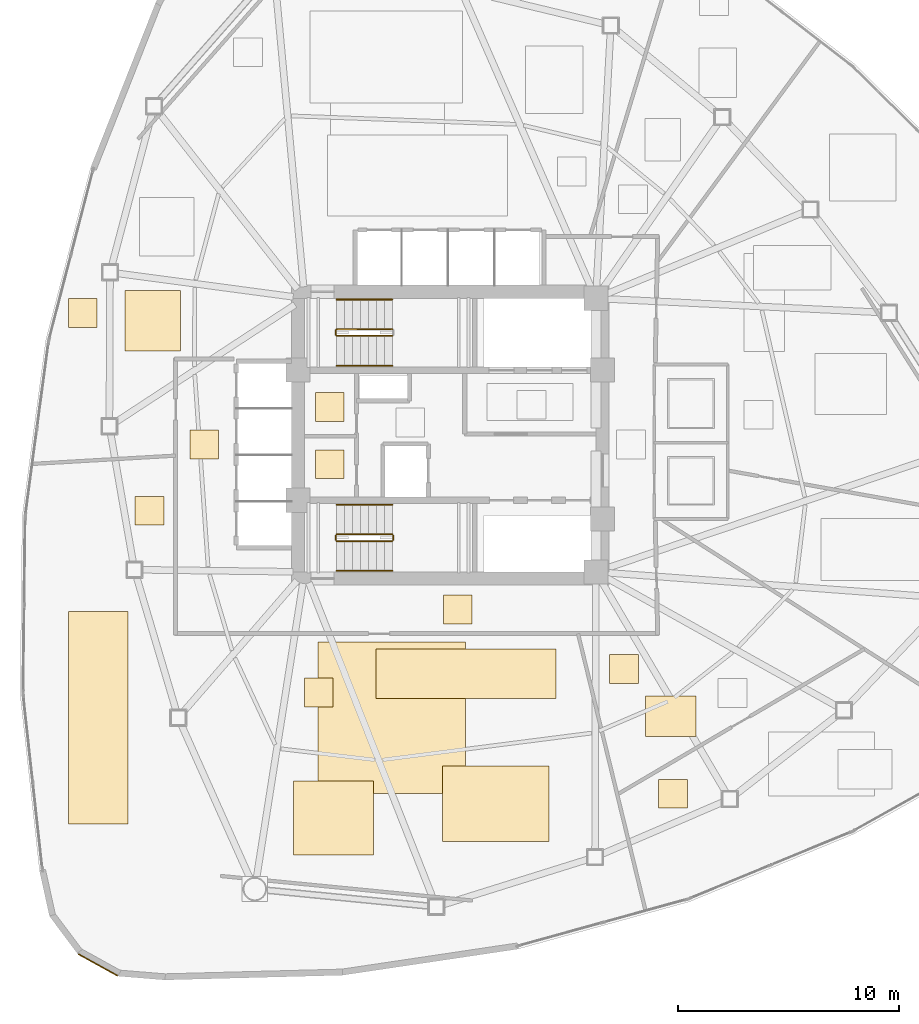
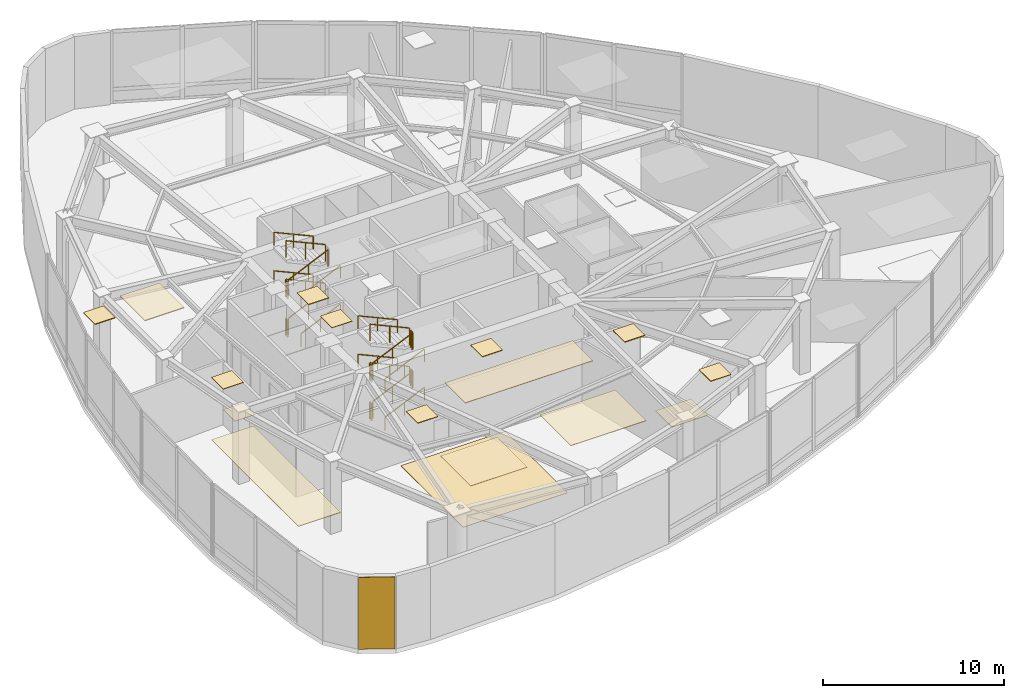
# One storey, part 12 of 14: 22 railings, 17 coverings.
"""IFC4 building model written with IfcOpenShell, lengths in metres."""

import ifcopenshell
import ifcopenshell.guid

model = None  # the IFC model being written
_history = None  # IfcOwnerHistory: only IFC2X3 demands one
_inside = {}  # id of a spatial element -> (the spatial element, [elements in it])
_under = {}  # id of a project, library or spatial element -> (it, [spatial elements below it])
_declared = {}  # id of a project -> (the project, [libraries it declares])
_typed = {}  # id of a type object -> (the type object, [elements of that type])
_made_of = {}  # id of a material, layer set ... -> (it, [elements and type objects made of it])


def new_model(schema):
    """Start an empty IFC model of exactly this schema.

    Asked for "IFC4X3", IfcOpenShell would pick the latest addendum, in which some entities
    have other attributes; the version numbers below select the first issue.
    IFC2X3 requires an IfcOwnerHistory on every rooted entity: one is made here for all.
    """
    global model, _history
    if schema == "IFC4X3":
        model = ifcopenshell.file(schema_version=(4, 3, 0, 0))
    else:
        model = ifcopenshell.file(schema=schema)
    _inside.clear()
    _under.clear()
    _declared.clear()
    _typed.clear()
    _made_of.clear()
    _history = None
    if model.schema == "IFC2X3":
        org = make("IfcOrganization", Name="unknown")
        user = make(
            "IfcPersonAndOrganization",
            ThePerson=make("IfcPerson", FamilyName="unknown"),
            TheOrganization=org,
        )
        app = make(
            "IfcApplication",
            ApplicationDeveloper=org,
            Version="unknown",
            ApplicationFullName="unknown",
            ApplicationIdentifier="unknown",
        )
        _history = make(
            "IfcOwnerHistory",
            OwningUser=user,
            OwningApplication=app,
            ChangeAction="ADDED",
            CreationDate=0,
        )
    return model


def make(cls, **values):
    """One entity of the class cls with the attributes given. An attribute that is None is left unset."""
    return model.create_entity(
        cls, **{name: value for name, value in values.items() if value is not None}
    )


def rooted(cls, **values):
    """An entity with a GlobalId (a new one), such as an element, a storey or a relation."""
    return make(cls, GlobalId=ifcopenshell.guid.new(), OwnerHistory=_history, **values)


def si_unit(unit_type, name, prefix=None):
    """IfcSIUnit, for example si_unit("LENGTHUNIT", "METRE", prefix="MILLI")."""
    return make("IfcSIUnit", UnitType=unit_type, Prefix=prefix, Name=name)


def assignment(units):
    """IfcUnitAssignment: the units of a project."""
    return None if units is None else make("IfcUnitAssignment", Units=units)


def point(xyz):
    """IfcCartesianPoint."""
    return None if xyz is None else make("IfcCartesianPoint", Coordinates=xyz)


def direction(xyz):
    """IfcDirection."""
    return None if xyz is None else make("IfcDirection", DirectionRatios=xyz)


def frame(location, z_axis=None, x_axis=None):
    """IfcAxis2Placement3D, a coordinate frame: its origin and axes. An axis left out is left unset."""
    return make(
        "IfcAxis2Placement3D",
        Location=point(location),
        Axis=direction(z_axis),
        RefDirection=direction(x_axis),
    )


def frame_2d(location, x_axis=None):
    """IfcAxis2Placement2D, a coordinate frame in the plane: its origin and x axis."""
    return make(
        "IfcAxis2Placement2D", Location=point(location), RefDirection=direction(x_axis)
    )


def origin():
    """The frame at (0, 0, 0) with its axes left unset."""
    return frame((0.0, 0.0, 0.0))


def origin_2d():
    """The frame at (0, 0) in the plane with its x axis left unset."""
    return frame_2d((0.0, 0.0))


def place(relative_to, where):
    """IfcLocalPlacement: puts the frame where relative to a parent placement (None: the world)."""
    return make(
        "IfcLocalPlacement", PlacementRelTo=relative_to, RelativePlacement=where
    )


def context(
    kind, dimensions, precision=None, world=None, true_north=None, identifier=None
):
    """IfcGeometricRepresentationContext, for example the 3D "Model" context."""
    return make(
        "IfcGeometricRepresentationContext",
        ContextIdentifier=identifier,
        ContextType=kind,
        CoordinateSpaceDimension=dimensions,
        Precision=precision,
        WorldCoordinateSystem=world,
        TrueNorth=true_north,
    )


def subcontext(parent, identifier, kind, view, scale=None):
    """IfcGeometricRepresentationSubContext, for example "Body" below "Model"."""
    return make(
        "IfcGeometricRepresentationSubContext",
        ContextIdentifier=identifier,
        ContextType=kind,
        ParentContext=parent,
        TargetScale=scale,
        TargetView=view,
    )


def project(units=None, contexts=None):
    """IfcProject with its units and contexts."""
    return rooted(
        "IfcProject",
        Name="project",
        RepresentationContexts=contexts,
        UnitsInContext=assignment(units),
    )


def spatial(cls, under=None, at=None, **own):
    """A site, building, storey or space (cls), placed at a placement, below another one or the project."""
    s = rooted(cls, ObjectPlacement=at, **own)
    if under is not None:
        _under.setdefault(under.id(), (under, []))[1].append(s)
    return s


def polyline(points):
    """IfcPolyline through the points."""
    return make("IfcPolyline", Points=[point(p) for p in points])


def profile(cls, at=None, kind="AREA", **sizes):
    """A parametric profile (cls). Its sizes go by their IFC names, for example OverallWidth=200.0."""
    return make(cls, ProfileType=kind, Position=at, **sizes)


def rectangle(**sizes):
    """IfcRectangleProfileDef."""
    return profile("IfcRectangleProfileDef", **sizes)


def outline(outer, holes=None, kind="AREA"):
    """IfcArbitraryClosedProfileDef: a profile drawn as a closed curve; with holes, ...WithVoids."""
    if holes is None:
        return make("IfcArbitraryClosedProfileDef", ProfileType=kind, OuterCurve=outer)
    return make(
        "IfcArbitraryProfileDefWithVoids",
        ProfileType=kind,
        OuterCurve=outer,
        InnerCurves=holes,
    )


def extrude(swept, where, along, depth):
    """IfcExtrudedAreaSolid: the profile swept, set in the frame where, extruded along a direction by depth."""
    return make(
        "IfcExtrudedAreaSolid",
        SweptArea=swept,
        Position=where,
        ExtrudedDirection=direction(along),
        Depth=depth,
    )


def shape(context_of_items, identifier, shape_type, items):
    """IfcShapeRepresentation: the items that make up one representation, for example the "Body"."""
    return make(
        "IfcShapeRepresentation",
        ContextOfItems=context_of_items,
        RepresentationIdentifier=identifier,
        RepresentationType=shape_type,
        Items=items,
    )


def material(Name=None, Category=None):
    """IfcMaterial."""
    return make("IfcMaterial", Name=Name, Category=Category)


def layer(
    of_material, thickness, ventilated=None, Name=None, Category=None, Priority=None
):
    """IfcMaterialLayer: one layer of a wall or slab, of a material (None: an air gap)."""
    return make(
        "IfcMaterialLayer",
        Material=of_material,
        LayerThickness=thickness,
        IsVentilated=ventilated,
        Name=Name,
        Category=Category,
        Priority=Priority,
    )


def layer_set(layers, Name=None):
    """IfcMaterialLayerSet."""
    return make("IfcMaterialLayerSet", MaterialLayers=layers, LayerSetName=Name)


def made_of(thing, what):
    """Note that an element or type object is made of a material, layer set ...; save() writes the relation."""
    if what is not None:
        _made_of.setdefault(what.id(), (what, []))[1].append(thing)
    return thing


def type_object(cls, material=None, **own):
    """A type object (cls), such as IfcWallType, which elements share."""
    return made_of(rooted(cls, **own), material)


def element(
    cls,
    number,
    at=None,
    inside=None,
    cuts=None,
    type_object=None,
    material=None,
    context=None,
    identifier="Body",
    shape_type=None,
    held_by="IfcProductDefinitionShape",
    body=None,
    shapes=None,
    **own,
):
    """One element of the class cls, such as IfcWall. Its Tag is "e" and its number.

    at: its placement. inside: the storey or other place that contains it. cuts: it is an
    opening in that element (IfcRelVoidsElement). A single representation is given by context,
    identifier, shape_type and body (its items); several are given by shapes. held_by: the class
    of the entity that holds the representations. save() writes the other relations.
    """
    e = rooted(cls, Tag="e%d" % number, ObjectPlacement=at, **own)
    if body is not None:
        shapes = [shape(context, identifier, shape_type, body)]
    if shapes is not None:
        e.Representation = make(held_by, Representations=shapes)
    if inside is not None:
        _inside.setdefault(inside.id(), (inside, []))[1].append(e)
    if cuts is not None:
        rooted(
            "IfcRelVoidsElement", RelatingBuildingElement=cuts, RelatedOpeningElement=e
        )
    if type_object is not None:
        _typed.setdefault(type_object.id(), (type_object, []))[1].append(e)
    return made_of(e, material)


def aggregate(whole, parts):
    """IfcRelAggregates: a whole, such as a stair, and the parts it consists of."""
    return rooted("IfcRelAggregates", RelatingObject=whole, RelatedObjects=parts)


def save(model, path):
    """Write the relations noted so far, then the file.

    IfcRelAggregates (storeys below a building ...), IfcRelContainedInSpatialStructure (elements
    in a storey), IfcRelDefinesByType, IfcRelAssociatesMaterial and IfcRelDeclares: one each for
    every whole, place, type object, material and project.
    """
    for whole, parts in _under.values():
        aggregate(whole, parts)
    for where, things in _inside.values():
        rooted(
            "IfcRelContainedInSpatialStructure",
            RelatedElements=things,
            RelatingStructure=where,
        )
    for kind, things in _typed.values():
        rooted("IfcRelDefinesByType", RelatedObjects=things, RelatingType=kind)
    for what, things in _made_of.values():
        rooted("IfcRelAssociatesMaterial", RelatedObjects=things, RelatingMaterial=what)
    for by, libraries in _declared.values():
        rooted("IfcRelDeclares", RelatingContext=by, RelatedDefinitions=libraries)
    model.write(path)


model = new_model("IFC4")

# Units and contexts
model_context = context("Model", 3, precision=1e-05, world=origin(), true_north=direction((0.0, 1.0)))
body_context = subcontext(model_context, "Body", "Model", "MODEL_VIEW")
ifc_project = project(units=[si_unit("LENGTHUNIT", "METRE"), si_unit("AREAUNIT", "SQUARE_METRE"), si_unit("VOLUMEUNIT", "CUBIC_METRE"), si_unit("PLANEANGLEUNIT", "RADIAN"), si_unit("MASSUNIT", "GRAM", prefix="KILO")], contexts=[model_context])

# Site, building, storey
site_placement = place(None, origin())
site = spatial("IfcSite", under=ifc_project, at=site_placement, CompositionType="ELEMENT")
building_placement = place(site_placement, origin())
building = spatial("IfcBuilding", under=site, at=building_placement, Name="Tavelor Broadcast Tower", CompositionType="ELEMENT")
storey_placement = place(building_placement, frame((0.0, 0.0, 110.39990234375)))
storey = spatial("IfcBuildingStorey", under=building, at=storey_placement, Name="L25", CompositionType="ELEMENT", Elevation=110.39990234375)

# Coverings
ifc_material_1 = material(Name="Copper-Bronze Anodized Aluminium", Category="aluminium")
ifc_layer_1 = layer(ifc_material_1, 0.044921875)
ifc_layer_set_1 = layer_set([ifc_layer_1], Name="Copper-Bronze Anodized Aluminium")
covering_type_1 = type_object("IfcCoveringType", Name="Anodised Bronze Linear Slatted Concourse Ceiling 45 mm", PredefinedType="CEILING", material=ifc_layer_set_1)
covering_1_placement = place(storey_placement, frame((0.0, 0.0, 4.85498046875)))
element("IfcCovering", 1, at=covering_1_placement, inside=storey, type_object=covering_type_1, Name="L25 Suspended Acoustic Ceiling 0972", PredefinedType="CEILING", context=body_context, shape_type="SweptSolid", body=[
    extrude(outline(polyline([(49.689208984375, 36.449951171875), (50.9892578125, 36.449951171875), (50.9892578125, 37.75), (49.689208984375, 37.75), (49.689208984375, 36.449951171875)])), origin(), (0.0, 0.0, 1.0), 0.045166015625),
])
ifc_layer_2 = layer(ifc_material_1, 0.050048828125)
ifc_layer_set_2 = layer_set([ifc_layer_2], Name="Copper-Bronze Anodized Aluminium")
covering_type_2 = type_object("IfcCoveringType", Name="Champagne-Bronze Corner Pier Metal Cladding 50 mm", PredefinedType="CLADDING", material=ifc_layer_set_2)
covering_2_placement = place(storey_placement, frame((34.02392578125, 20.98583984375, 0.02001953125), z_axis=(0.0, 0.0, 1.0), x_axis=(0.875042450261, -0.484046186062, 0.0)))
element("IfcCovering", 2, at=covering_2_placement, inside=storey, type_object=covering_type_2, Name="L25 Champagne-Bronze Corner Cladding 13", PredefinedType="CLADDING", context=body_context, shape_type="SweptSolid", body=[
    extrude(rectangle(XDim=2.016357421875, YDim=0.050048828125, at=origin_2d()), origin(), (0.0, 0.0, 1.0), 4.860107421875),
])

# Railings
ifc_material_2 = material(Name="Steel S355", Category="steel")
railing_type_1 = type_object("IfcRailingType", Name="Continuous Brushed Stainless Handrail 900 mm", PredefinedType="HANDRAIL", material=ifc_material_2)
railing_1_placement = place(storey_placement, frame((44.85009765625, 48.14990234375, 0.16259765625)))
element("IfcRailing", 3, at=railing_1_placement, inside=storey, type_object=railing_type_1, Name="L25 ST1 stair handrail 1", PredefinedType="HANDRAIL", context=body_context, shape_type="SweptSolid", body=[
    extrude(rectangle(XDim=0.048095703125, YDim=0.048095703125, at=origin_2d()), frame((0.0, 0.0, 0.8759765625), z_axis=(0.911454990345, 0.0, 0.411399806241), x_axis=(0.0, 1.0, 0.0)), (0.0, 0.0, 1.0), 2.764892578125),
    extrude(rectangle(XDim=0.0419921875, YDim=0.0419921875, at=origin_2d()), origin(), (0.0, 0.0, 1.0), 0.851806640625),
    extrude(rectangle(XDim=0.0419921875, YDim=0.0419921875, at=origin_2d()), frame((1.260009765625, 0.0, 0.56884765625)), (0.0, 0.0, 1.0), 0.851806640625),
    extrude(rectangle(XDim=0.0419921875, YDim=0.0419921875, at=origin_2d()), frame((2.52001953125, 0.0, 1.137451171875)), (0.0, 0.0, 1.0), 0.851806640625),
])
railing_2_placement = place(storey_placement, frame((47.3701171875, 51.14990234375, 1.462646484375)))
element("IfcRailing", 4, at=railing_2_placement, inside=storey, type_object=railing_type_1, Name="L25 ST1 stair handrail 2", PredefinedType="HANDRAIL", context=body_context, shape_type="SweptSolid", body=[
    extrude(rectangle(XDim=0.048095703125, YDim=0.048095703125, at=origin_2d()), frame((0.0, 0.0, 0.8759765625), z_axis=(-0.911454990345, 0.0, 0.411399806241), x_axis=(0.0, -1.0, 0.0)), (0.0, 0.0, 1.0), 2.764892578125),
    extrude(rectangle(XDim=0.0419921875, YDim=0.0419921875, at=origin_2d()), origin(), (0.0, 0.0, 1.0), 0.851806640625),
    extrude(rectangle(XDim=0.0419921875, YDim=0.0419921875, at=origin_2d()), frame((-1.260009765625, 0.0, 0.56884765625)), (0.0, 0.0, 1.0), 0.851806640625),
    extrude(rectangle(XDim=0.0419921875, YDim=0.0419921875, at=origin_2d()), frame((-2.52001953125, 0.0, 1.137451171875)), (0.0, 0.0, 1.0), 0.851806640625),
])
railing_3_placement = place(storey_placement, frame((44.85009765625, 48.14990234375, 2.7626953125)))
element("IfcRailing", 5, at=railing_3_placement, inside=storey, type_object=railing_type_1, Name="L25 ST1 stair handrail 3", PredefinedType="HANDRAIL", context=body_context, shape_type="SweptSolid", body=[
    extrude(rectangle(XDim=0.048095703125, YDim=0.048095703125, at=origin_2d()), frame((0.0, 0.0, 0.8759765625), z_axis=(0.911454990345, 0.0, 0.411399806241), x_axis=(0.0, 1.0, 0.0)), (0.0, 0.0, 1.0), 2.764892578125),
    extrude(rectangle(XDim=0.0419921875, YDim=0.0419921875, at=origin_2d()), origin(), (0.0, 0.0, 1.0), 0.851806640625),
    extrude(rectangle(XDim=0.0419921875, YDim=0.0419921875, at=origin_2d()), frame((1.260009765625, 0.0, 0.56884765625)), (0.0, 0.0, 1.0), 0.851806640625),
    extrude(rectangle(XDim=0.0419921875, YDim=0.0419921875, at=origin_2d()), frame((2.52001953125, 0.0, 1.137451171875)), (0.0, 0.0, 1.0), 0.851806640625),
])
railing_4_placement = place(storey_placement, frame((47.3701171875, 51.14990234375, 4.0625)))
element("IfcRailing", 6, at=railing_4_placement, inside=storey, type_object=railing_type_1, Name="L25 ST1 stair handrail 4", PredefinedType="HANDRAIL", context=body_context, shape_type="SweptSolid", body=[
    extrude(rectangle(XDim=0.048095703125, YDim=0.048095703125, at=origin_2d()), frame((0.0, 0.0, 0.8759765625), z_axis=(-0.911421877719, 0.0, 0.411473159288), x_axis=(0.0, -1.0, 0.0)), (0.0, 0.0, 1.0), 2.764892578125),
    extrude(rectangle(XDim=0.0419921875, YDim=0.0419921875, at=origin_2d()), origin(), (0.0, 0.0, 1.0), 0.851806640625),
    extrude(rectangle(XDim=0.0419921875, YDim=0.0419921875, at=origin_2d()), frame((-1.260009765625, 0.0, 0.56884765625)), (0.0, 0.0, 1.0), 0.851806640625),
    extrude(rectangle(XDim=0.0419921875, YDim=0.0419921875, at=origin_2d()), frame((-2.52001953125, 0.0, 1.1376953125)), (0.0, 0.0, 1.0), 0.851806640625),
])
railing_5_placement = place(storey_placement, frame((44.85009765625, 38.85009765625, 0.16259765625)))
element("IfcRailing", 7, at=railing_5_placement, inside=storey, type_object=railing_type_1, Name="L25 ST2 stair handrail 1", PredefinedType="HANDRAIL", context=body_context, shape_type="SweptSolid", body=[
    extrude(rectangle(XDim=0.048095703125, YDim=0.048095703125, at=origin_2d()), frame((0.0, 0.0, 0.8759765625), z_axis=(0.911454990345, 0.0, 0.411399806241), x_axis=(0.0, 1.0, 0.0)), (0.0, 0.0, 1.0), 2.764892578125),
    extrude(rectangle(XDim=0.0419921875, YDim=0.0419921875, at=origin_2d()), origin(), (0.0, 0.0, 1.0), 0.851806640625),
    extrude(rectangle(XDim=0.0419921875, YDim=0.0419921875, at=origin_2d()), frame((1.260009765625, 0.0, 0.56884765625)), (0.0, 0.0, 1.0), 0.851806640625),
    extrude(rectangle(XDim=0.0419921875, YDim=0.0419921875, at=origin_2d()), frame((2.52001953125, 0.0, 1.137451171875)), (0.0, 0.0, 1.0), 0.851806640625),
])
railing_6_placement = place(storey_placement, frame((47.3701171875, 41.85009765625, 1.462646484375)))
element("IfcRailing", 8, at=railing_6_placement, inside=storey, type_object=railing_type_1, Name="L25 ST2 stair handrail 2", PredefinedType="HANDRAIL", context=body_context, shape_type="SweptSolid", body=[
    extrude(rectangle(XDim=0.048095703125, YDim=0.048095703125, at=origin_2d()), frame((0.0, 0.0, 0.8759765625), z_axis=(-0.911454990345, 0.0, 0.411399806241), x_axis=(0.0, -1.0, 0.0)), (0.0, 0.0, 1.0), 2.764892578125),
    extrude(rectangle(XDim=0.0419921875, YDim=0.0419921875, at=origin_2d()), origin(), (0.0, 0.0, 1.0), 0.851806640625),
    extrude(rectangle(XDim=0.0419921875, YDim=0.0419921875, at=origin_2d()), frame((-1.260009765625, 0.0, 0.56884765625)), (0.0, 0.0, 1.0), 0.851806640625),
    extrude(rectangle(XDim=0.0419921875, YDim=0.0419921875, at=origin_2d()), frame((-2.52001953125, 0.0, 1.137451171875)), (0.0, 0.0, 1.0), 0.851806640625),
])
railing_7_placement = place(storey_placement, frame((44.85009765625, 38.85009765625, 2.7626953125)))
element("IfcRailing", 9, at=railing_7_placement, inside=storey, type_object=railing_type_1, Name="L25 ST2 stair handrail 3", PredefinedType="HANDRAIL", context=body_context, shape_type="SweptSolid", body=[
    extrude(rectangle(XDim=0.048095703125, YDim=0.048095703125, at=origin_2d()), frame((0.0, 0.0, 0.8759765625), z_axis=(0.911454990345, 0.0, 0.411399806241), x_axis=(0.0, 1.0, 0.0)), (0.0, 0.0, 1.0), 2.764892578125),
    extrude(rectangle(XDim=0.0419921875, YDim=0.0419921875, at=origin_2d()), origin(), (0.0, 0.0, 1.0), 0.851806640625),
    extrude(rectangle(XDim=0.0419921875, YDim=0.0419921875, at=origin_2d()), frame((1.260009765625, 0.0, 0.56884765625)), (0.0, 0.0, 1.0), 0.851806640625),
    extrude(rectangle(XDim=0.0419921875, YDim=0.0419921875, at=origin_2d()), frame((2.52001953125, 0.0, 1.137451171875)), (0.0, 0.0, 1.0), 0.851806640625),
])
railing_8_placement = place(storey_placement, frame((47.3701171875, 41.85009765625, 4.0625)))
element("IfcRailing", 10, at=railing_8_placement, inside=storey, type_object=railing_type_1, Name="L25 ST2 stair handrail 4", PredefinedType="HANDRAIL", context=body_context, shape_type="SweptSolid", body=[
    extrude(rectangle(XDim=0.048095703125, YDim=0.048095703125, at=origin_2d()), frame((0.0, 0.0, 0.8759765625), z_axis=(-0.911421877719, 0.0, 0.411473159288), x_axis=(0.0, -1.0, 0.0)), (0.0, 0.0, 1.0), 2.764892578125),
    extrude(rectangle(XDim=0.0419921875, YDim=0.0419921875, at=origin_2d()), origin(), (0.0, 0.0, 1.0), 0.851806640625),
    extrude(rectangle(XDim=0.0419921875, YDim=0.0419921875, at=origin_2d()), frame((-1.260009765625, 0.0, 0.56884765625)), (0.0, 0.0, 1.0), 0.851806640625),
    extrude(rectangle(XDim=0.0419921875, YDim=0.0419921875, at=origin_2d()), frame((-2.52001953125, 0.0, 1.1376953125)), (0.0, 0.0, 1.0), 0.851806640625),
])

# Coverings
ifc_material_3 = material(Name="Acoustic Nylon Carpet Tile")
ifc_layer_3 = layer(ifc_material_3, 0.02001953125)
ifc_layer_set_3 = layer_set([ifc_layer_3], Name="Acoustic Nylon Carpet Tile")
covering_type_3 = type_object("IfcCoveringType", Name="Heavy-Duty Acoustic Broadcast Carpet Tile 20 mm", PredefinedType="FLOORING", material=ifc_layer_set_3)
covering_3_placement = place(storey_placement, origin())
element("IfcCovering", 11, at=covering_3_placement, inside=storey, type_object=covering_type_3, Name="L25 Broadcast Floor Finish 0348", PredefinedType="FLOORING", context=body_context, shape_type="SweptSolid", body=[
    extrude(outline(polyline([(44.00732421875, 28.750732421875), (50.68603515625, 28.750732421875), (50.68603515625, 35.630126953125), (44.00732421875, 35.630126953125), (44.00732421875, 28.750732421875)])), origin(), (0.0, 0.0, 1.0), 0.02001953125),
])
ifc_material_4 = material(Name="Honed Natural Limestone Tile", Category="masonry")
ifc_layer_4 = layer(ifc_material_4, 0.030029296875)
ifc_layer_set_4 = layer_set([ifc_layer_4], Name="Honed Natural Limestone Tile")
covering_type_4 = type_object("IfcCoveringType", Name="Honed Jerusalem Limestone Concourse Flooring 30 mm", PredefinedType="FLOORING", material=ifc_layer_set_4)
covering_4_placement = place(storey_placement, origin())
element("IfcCovering", 12, at=covering_4_placement, inside=storey, type_object=covering_type_4, Name="L25 Broadcast Floor Finish 0342", PredefinedType="FLOORING", context=body_context, shape_type="SweptSolid", body=[
    extrude(outline(polyline([(38.199951171875, 43.925048828125), (39.5, 43.925048828125), (39.5, 45.22509765625), (38.199951171875, 45.22509765625), (38.199951171875, 43.925048828125)])), origin(), (0.0, 0.0, 1.0), 0.030029296875),
])
ifc_material_5 = material(Name="Acoustic Hardwood Studio Flooring", Category="wood")
ifc_layer_5 = layer(ifc_material_5, 0.034912109375)
ifc_layer_set_5 = layer_set([ifc_layer_5], Name="Acoustic Hardwood Studio Flooring")
covering_type_5 = type_object("IfcCoveringType", Name="Isolated Studio Acoustic Elastomeric Floor Finish 35 mm", PredefinedType="FLOORING", material=ifc_layer_set_5)
covering_5_placement = place(storey_placement, origin())
element("IfcCovering", 13, at=covering_5_placement, inside=storey, type_object=covering_type_5, Name="L25 Broadcast Floor Finish 0351", PredefinedType="FLOORING", context=body_context, shape_type="SweptSolid", body=[
    extrude(outline(polyline([(58.85791015625, 31.34033203125), (61.137939453125, 31.34033203125), (61.137939453125, 33.1748046875), (58.85791015625, 33.1748046875), (58.85791015625, 31.34033203125)])), origin(), (0.0, 0.0, 1.0), 0.03515625),
])
ifc_material_6 = material(Name="Acoustic Perforated Timber Baffle", Category="wood")
ifc_layer_6 = layer(ifc_material_6, 0.054931640625)
ifc_layer_set_6 = layer_set([ifc_layer_6], Name="Acoustic Perforated Timber Baffle")
covering_type_6 = type_object("IfcCoveringType", Name="Micro-Perforated Acoustic Baffle Studio Ceiling 55 mm", PredefinedType="CEILING", material=ifc_layer_set_6)
covering_6_placement = place(storey_placement, frame((0.0, 0.0, 4.84521484375)))
element("IfcCovering", 14, at=covering_6_placement, inside=storey, type_object=covering_type_6, Name="L25 Suspended Acoustic Ceiling 0990", PredefinedType="CEILING", context=body_context, shape_type="SweptSolid", body=[
    extrude(outline(polyline([(32.6943359375, 49.883544921875), (33.994384765625, 49.883544921875), (33.994384765625, 51.18359375), (32.6943359375, 51.18359375), (32.6943359375, 49.883544921875)])), origin(), (0.0, 0.0, 1.0), 0.054931640625),
])
covering_7_placement = place(storey_placement, frame((0.0, 0.0, 4.84521484375)))
element("IfcCovering", 15, at=covering_7_placement, inside=storey, type_object=covering_type_6, Name="L25 Suspended Acoustic Ceiling 0997", PredefinedType="CEILING", context=body_context, shape_type="SweptSolid", body=[
    extrude(outline(polyline([(35.26220703125, 48.8115234375), (37.779296875, 48.8115234375), (37.779296875, 51.559326171875), (35.26220703125, 51.559326171875), (35.26220703125, 48.8115234375)])), origin(), (0.0, 0.0, 1.0), 0.054931640625),
])
covering_8_placement = place(storey_placement, frame((0.0, 0.0, 4.84521484375)))
element("IfcCovering", 16, at=covering_8_placement, inside=storey, type_object=covering_type_6, Name="L25 Suspended Acoustic Ceiling 1003", PredefinedType="CEILING", context=body_context, shape_type="SweptSolid", body=[
    extrude(outline(polyline([(57.224609375, 33.74560546875), (58.5244140625, 33.74560546875), (58.5244140625, 35.045654296875), (57.224609375, 35.045654296875), (57.224609375, 33.74560546875)])), origin(), (0.0, 0.0, 1.0), 0.054931640625),
])
ifc_material_7 = material(Name="Architectural Anodized Aluminium", Category="aluminium")
ifc_layer_7 = layer(ifc_material_7, 0.030029296875)
ifc_layer_set_7 = layer_set([ifc_layer_7], Name="Architectural Anodized Aluminium")
covering_type_7 = type_object("IfcCoveringType", Name="Moisture-Resistant Washroom Ceiling 30 mm", PredefinedType="CEILING", material=ifc_layer_set_7)
covering_9_placement = place(storey_placement, frame((0.0, 0.0, 4.8701171875)))
element("IfcCovering", 17, at=covering_9_placement, inside=storey, type_object=covering_type_7, Name="L25 Suspended Acoustic Ceiling 0969", PredefinedType="CEILING", context=body_context, shape_type="SweptSolid", body=[
    extrude(outline(polyline([(43.8798828125, 43.026611328125), (45.179931640625, 43.026611328125), (45.179931640625, 44.326416015625), (43.8798828125, 44.326416015625), (43.8798828125, 43.026611328125)])), origin(), (0.0, 0.0, 1.0), 0.030029296875),
])

# Railings
railing_type_2 = type_object("IfcRailingType", Name="Stairwell Steel Safety Guardrail 1150 mm", PredefinedType="GUARDRAIL", material=ifc_material_2)
railing_9_placement = place(storey_placement, frame((44.85009765625, 49.5, 0.16259765625)))
element("IfcRailing", 18, at=railing_9_placement, inside=storey, type_object=railing_type_2, Name="L25 ST1 stair guard 1", PredefinedType="GUARDRAIL", context=body_context, shape_type="SweptSolid", body=[
    extrude(rectangle(XDim=0.048095703125, YDim=0.048095703125, at=origin_2d()), frame((0.0, 0.0, 1.1259765625), z_axis=(0.911454990345, 0.0, 0.411399806241), x_axis=(0.0, 1.0, 0.0)), (0.0, 0.0, 1.0), 2.764892578125),
    extrude(rectangle(XDim=0.0419921875, YDim=0.0419921875, at=origin_2d()), origin(), (0.0, 0.0, 1.0), 1.101806640625),
    extrude(rectangle(XDim=0.0419921875, YDim=0.0419921875, at=origin_2d()), frame((1.260009765625, 0.0, 0.56884765625)), (0.0, 0.0, 1.0), 1.101806640625),
    extrude(rectangle(XDim=0.0419921875, YDim=0.0419921875, at=origin_2d()), frame((2.52001953125, 0.0, 1.137451171875)), (0.0, 0.0, 1.0), 1.101806640625),
])
railing_10_placement = place(storey_placement, frame((47.3701171875, 49.800048828125, 1.462646484375)))
element("IfcRailing", 19, at=railing_10_placement, inside=storey, type_object=railing_type_2, Name="L25 ST1 stair guard 3", PredefinedType="GUARDRAIL", context=body_context, shape_type="SweptSolid", body=[
    extrude(rectangle(XDim=0.048095703125, YDim=0.048095703125, at=origin_2d()), frame((0.0, 0.0, 1.1259765625), z_axis=(-0.911454990345, 0.0, 0.411399806241), x_axis=(0.0, -1.0, 0.0)), (0.0, 0.0, 1.0), 2.764892578125),
    extrude(rectangle(XDim=0.0419921875, YDim=0.0419921875, at=origin_2d()), origin(), (0.0, 0.0, 1.0), 1.101806640625),
    extrude(rectangle(XDim=0.0419921875, YDim=0.0419921875, at=origin_2d()), frame((-1.260009765625, 0.0, 0.56884765625)), (0.0, 0.0, 1.0), 1.101806640625),
    extrude(rectangle(XDim=0.0419921875, YDim=0.0419921875, at=origin_2d()), frame((-2.52001953125, 0.0, 1.137451171875)), (0.0, 0.0, 1.0), 1.101806640625),
])
railing_11_placement = place(storey_placement, frame((44.800048828125, 49.550048828125, 2.60009765625)))
element("IfcRailing", 20, at=railing_11_placement, inside=storey, type_object=railing_type_2, Name="L25 ST1 stair guard 4", PredefinedType="GUARDRAIL", context=body_context, shape_type="SweptSolid", body=[
    extrude(rectangle(XDim=0.048095703125, YDim=0.048095703125, at=origin_2d()), frame((0.0, 0.0, 1.1259765625), z_axis=(0.0, 1.0, 0.0), x_axis=(-1.0, 0.0, 0.0)), (0.0, 0.0, 1.0), 0.199951171875),
    extrude(rectangle(XDim=0.0419921875, YDim=0.0419921875, at=origin_2d()), origin(), (0.0, 0.0, 1.0), 1.101806640625),
    extrude(rectangle(XDim=0.0419921875, YDim=0.0419921875, at=origin_2d()), frame((0.0, 0.199951171875, 0.0)), (0.0, 0.0, 1.0), 1.101806640625),
])
railing_12_placement = place(storey_placement, frame((44.85009765625, 49.5, 2.7626953125)))
element("IfcRailing", 21, at=railing_12_placement, inside=storey, type_object=railing_type_2, Name="L25 ST1 stair guard 5", PredefinedType="GUARDRAIL", context=body_context, shape_type="SweptSolid", body=[
    extrude(rectangle(XDim=0.048095703125, YDim=0.048095703125, at=origin_2d()), frame((0.0, 0.0, 1.1259765625), z_axis=(0.911454990345, 0.0, 0.411399806241), x_axis=(0.0, 1.0, 0.0)), (0.0, 0.0, 1.0), 2.764892578125),
    extrude(rectangle(XDim=0.0419921875, YDim=0.0419921875, at=origin_2d()), origin(), (0.0, 0.0, 1.0), 1.101806640625),
    extrude(rectangle(XDim=0.0419921875, YDim=0.0419921875, at=origin_2d()), frame((1.260009765625, 0.0, 0.56884765625)), (0.0, 0.0, 1.0), 1.101806640625),
    extrude(rectangle(XDim=0.0419921875, YDim=0.0419921875, at=origin_2d()), frame((2.52001953125, 0.0, 1.137451171875)), (0.0, 0.0, 1.0), 1.101806640625),
])
railing_13_placement = place(storey_placement, frame((47.3701171875, 49.800048828125, 4.0625)))
element("IfcRailing", 22, at=railing_13_placement, inside=storey, type_object=railing_type_2, Name="L25 ST1 stair guard 7", PredefinedType="GUARDRAIL", context=body_context, shape_type="SweptSolid", body=[
    extrude(rectangle(XDim=0.048095703125, YDim=0.048095703125, at=origin_2d()), frame((0.0, 0.0, 1.1259765625), z_axis=(-0.911421877719, 0.0, 0.411473159288), x_axis=(0.0, -1.0, 0.0)), (0.0, 0.0, 1.0), 2.764892578125),
    extrude(rectangle(XDim=0.0419921875, YDim=0.0419921875, at=origin_2d()), origin(), (0.0, 0.0, 1.0), 1.101806640625),
    extrude(rectangle(XDim=0.0419921875, YDim=0.0419921875, at=origin_2d()), frame((-1.260009765625, 0.0, 0.56884765625)), (0.0, 0.0, 1.0), 1.101806640625),
    extrude(rectangle(XDim=0.0419921875, YDim=0.0419921875, at=origin_2d()), frame((-2.52001953125, 0.0, 1.1376953125)), (0.0, 0.0, 1.0), 1.101806640625),
])
railing_14_placement = place(storey_placement, frame((44.800048828125, 49.550048828125, 0.0)))
element("IfcRailing", 23, at=railing_14_placement, inside=storey, type_object=railing_type_2, Name="L25 ST1 stair guard 8", PredefinedType="GUARDRAIL", context=body_context, shape_type="SweptSolid", body=[
    extrude(rectangle(XDim=0.048095703125, YDim=0.048095703125, at=origin_2d()), frame((0.0, 0.0, 1.1259765625), z_axis=(0.0, 1.0, 0.0), x_axis=(-1.0, 0.0, 0.0)), (0.0, 0.0, 1.0), 0.199951171875),
    extrude(rectangle(XDim=0.0419921875, YDim=0.0419921875, at=origin_2d()), origin(), (0.0, 0.0, 1.0), 1.101806640625),
    extrude(rectangle(XDim=0.0419921875, YDim=0.0419921875, at=origin_2d()), frame((0.0, 0.199951171875, 0.0)), (0.0, 0.0, 1.0), 1.101806640625),
])
railing_15_placement = place(storey_placement, frame((44.85009765625, 40.199951171875, 0.16259765625)))
element("IfcRailing", 24, at=railing_15_placement, inside=storey, type_object=railing_type_2, Name="L25 ST2 stair guard 1", PredefinedType="GUARDRAIL", context=body_context, shape_type="SweptSolid", body=[
    extrude(rectangle(XDim=0.048095703125, YDim=0.048095703125, at=origin_2d()), frame((0.0, 0.0, 1.1259765625), z_axis=(0.911454990345, 0.0, 0.411399806241), x_axis=(0.0, 1.0, 0.0)), (0.0, 0.0, 1.0), 2.764892578125),
    extrude(rectangle(XDim=0.0419921875, YDim=0.0419921875, at=origin_2d()), origin(), (0.0, 0.0, 1.0), 1.101806640625),
    extrude(rectangle(XDim=0.0419921875, YDim=0.0419921875, at=origin_2d()), frame((1.260009765625, 0.0, 0.56884765625)), (0.0, 0.0, 1.0), 1.101806640625),
    extrude(rectangle(XDim=0.0419921875, YDim=0.0419921875, at=origin_2d()), frame((2.52001953125, 0.0, 1.137451171875)), (0.0, 0.0, 1.0), 1.101806640625),
])
railing_16_placement = place(storey_placement, frame((47.419921875, 40.25, 1.300048828125)))
element("IfcRailing", 25, at=railing_16_placement, inside=storey, type_object=railing_type_2, Name="L25 ST2 stair guard 2", PredefinedType="GUARDRAIL", context=body_context, shape_type="SweptSolid", body=[
    extrude(rectangle(XDim=0.048095703125, YDim=0.048095703125, at=origin_2d()), frame((0.0, 0.0, 1.1259765625), z_axis=(0.0, 1.0, 0.0), x_axis=(-1.0, 0.0, 0.0)), (0.0, 0.0, 1.0), 0.199951171875),
    extrude(rectangle(XDim=0.0419921875, YDim=0.0419921875, at=origin_2d()), origin(), (0.0, 0.0, 1.0), 1.101806640625),
    extrude(rectangle(XDim=0.0419921875, YDim=0.0419921875, at=origin_2d()), frame((0.0, 0.199951171875, 0.0)), (0.0, 0.0, 1.0), 1.101806640625),
])
railing_17_placement = place(storey_placement, frame((47.3701171875, 40.5, 1.462646484375)))
element("IfcRailing", 26, at=railing_17_placement, inside=storey, type_object=railing_type_2, Name="L25 ST2 stair guard 3", PredefinedType="GUARDRAIL", context=body_context, shape_type="SweptSolid", body=[
    extrude(rectangle(XDim=0.048095703125, YDim=0.048095703125, at=origin_2d()), frame((0.0, 0.0, 1.1259765625), z_axis=(-0.911454990345, 0.0, 0.411399806241), x_axis=(0.0, -1.0, 0.0)), (0.0, 0.0, 1.0), 2.764892578125),
    extrude(rectangle(XDim=0.0419921875, YDim=0.0419921875, at=origin_2d()), origin(), (0.0, 0.0, 1.0), 1.101806640625),
    extrude(rectangle(XDim=0.0419921875, YDim=0.0419921875, at=origin_2d()), frame((-1.260009765625, 0.0, 0.56884765625)), (0.0, 0.0, 1.0), 1.101806640625),
    extrude(rectangle(XDim=0.0419921875, YDim=0.0419921875, at=origin_2d()), frame((-2.52001953125, 0.0, 1.137451171875)), (0.0, 0.0, 1.0), 1.101806640625),
])
railing_18_placement = place(storey_placement, frame((44.800048828125, 40.25, 2.60009765625)))
element("IfcRailing", 27, at=railing_18_placement, inside=storey, type_object=railing_type_2, Name="L25 ST2 stair guard 4", PredefinedType="GUARDRAIL", context=body_context, shape_type="SweptSolid", body=[
    extrude(rectangle(XDim=0.048095703125, YDim=0.048095703125, at=origin_2d()), frame((0.0, 0.0, 1.1259765625), z_axis=(0.0, 1.0, 0.0), x_axis=(-1.0, 0.0, 0.0)), (0.0, 0.0, 1.0), 0.199951171875),
    extrude(rectangle(XDim=0.0419921875, YDim=0.0419921875, at=origin_2d()), origin(), (0.0, 0.0, 1.0), 1.101806640625),
    extrude(rectangle(XDim=0.0419921875, YDim=0.0419921875, at=origin_2d()), frame((0.0, 0.199951171875, 0.0)), (0.0, 0.0, 1.0), 1.101806640625),
])
railing_19_placement = place(storey_placement, frame((44.85009765625, 40.199951171875, 2.7626953125)))
element("IfcRailing", 28, at=railing_19_placement, inside=storey, type_object=railing_type_2, Name="L25 ST2 stair guard 5", PredefinedType="GUARDRAIL", context=body_context, shape_type="SweptSolid", body=[
    extrude(rectangle(XDim=0.048095703125, YDim=0.048095703125, at=origin_2d()), frame((0.0, 0.0, 1.1259765625), z_axis=(0.911454990345, 0.0, 0.411399806241), x_axis=(0.0, 1.0, 0.0)), (0.0, 0.0, 1.0), 2.764892578125),
    extrude(rectangle(XDim=0.0419921875, YDim=0.0419921875, at=origin_2d()), origin(), (0.0, 0.0, 1.0), 1.101806640625),
    extrude(rectangle(XDim=0.0419921875, YDim=0.0419921875, at=origin_2d()), frame((1.260009765625, 0.0, 0.56884765625)), (0.0, 0.0, 1.0), 1.101806640625),
    extrude(rectangle(XDim=0.0419921875, YDim=0.0419921875, at=origin_2d()), frame((2.52001953125, 0.0, 1.137451171875)), (0.0, 0.0, 1.0), 1.101806640625),
])
railing_20_placement = place(storey_placement, frame((47.419921875, 40.25, 3.900146484375)))
element("IfcRailing", 29, at=railing_20_placement, inside=storey, type_object=railing_type_2, Name="L25 ST2 stair guard 6", PredefinedType="GUARDRAIL", context=body_context, shape_type="SweptSolid", body=[
    extrude(rectangle(XDim=0.048095703125, YDim=0.048095703125, at=origin_2d()), frame((0.0, 0.0, 1.1259765625), z_axis=(0.0, 1.0, 0.0), x_axis=(-1.0, 0.0, 0.0)), (0.0, 0.0, 1.0), 0.199951171875),
    extrude(rectangle(XDim=0.0419921875, YDim=0.0419921875, at=origin_2d()), origin(), (0.0, 0.0, 1.0), 1.101806640625),
    extrude(rectangle(XDim=0.0419921875, YDim=0.0419921875, at=origin_2d()), frame((0.0, 0.199951171875, 0.0)), (0.0, 0.0, 1.0), 1.101806640625),
])
railing_21_placement = place(storey_placement, frame((47.3701171875, 40.5, 4.0625)))
element("IfcRailing", 30, at=railing_21_placement, inside=storey, type_object=railing_type_2, Name="L25 ST2 stair guard 7", PredefinedType="GUARDRAIL", context=body_context, shape_type="SweptSolid", body=[
    extrude(rectangle(XDim=0.048095703125, YDim=0.048095703125, at=origin_2d()), frame((0.0, 0.0, 1.1259765625), z_axis=(-0.911421877719, 0.0, 0.411473159288), x_axis=(0.0, -1.0, 0.0)), (0.0, 0.0, 1.0), 2.764892578125),
    extrude(rectangle(XDim=0.0419921875, YDim=0.0419921875, at=origin_2d()), origin(), (0.0, 0.0, 1.0), 1.101806640625),
    extrude(rectangle(XDim=0.0419921875, YDim=0.0419921875, at=origin_2d()), frame((-1.260009765625, 0.0, 0.56884765625)), (0.0, 0.0, 1.0), 1.101806640625),
    extrude(rectangle(XDim=0.0419921875, YDim=0.0419921875, at=origin_2d()), frame((-2.52001953125, 0.0, 1.1376953125)), (0.0, 0.0, 1.0), 1.101806640625),
])
railing_22_placement = place(storey_placement, frame((44.800048828125, 40.25, 0.0)))
element("IfcRailing", 31, at=railing_22_placement, inside=storey, type_object=railing_type_2, Name="L25 ST2 stair guard 8", PredefinedType="GUARDRAIL", context=body_context, shape_type="SweptSolid", body=[
    extrude(rectangle(XDim=0.048095703125, YDim=0.048095703125, at=origin_2d()), frame((0.0, 0.0, 1.1259765625), z_axis=(0.0, 1.0, 0.0), x_axis=(-1.0, 0.0, 0.0)), (0.0, 0.0, 1.0), 0.199951171875),
    extrude(rectangle(XDim=0.0419921875, YDim=0.0419921875, at=origin_2d()), origin(), (0.0, 0.0, 1.0), 1.101806640625),
    extrude(rectangle(XDim=0.0419921875, YDim=0.0419921875, at=origin_2d()), frame((0.0, 0.199951171875, 0.0)), (0.0, 0.0, 1.0), 1.101806640625),
])

# Coverings
ifc_material_8 = material(Name="Acoustic Mineral Fibre Tile")
ifc_layer_8 = layer(ifc_material_8, 0.0400390625)
ifc_layer_set_8 = layer_set([ifc_layer_8], Name="Acoustic Mineral Fibre Tile")
covering_type_8 = type_object("IfcCoveringType", Name="Suspended Acoustic Mineral-Fibre Office Ceiling 40 mm", PredefinedType="CEILING", material=ifc_layer_set_8)
covering_10_placement = place(storey_placement, frame((0.0, 0.0, 4.860107421875)))
element("IfcCovering", 32, at=covering_10_placement, inside=storey, type_object=covering_type_8, Name="L25 Suspended Acoustic Ceiling 0970", PredefinedType="CEILING", context=body_context, shape_type="SweptSolid", body=[
    extrude(outline(polyline([(43.8798828125, 45.62353515625), (45.179931640625, 45.62353515625), (45.179931640625, 46.923583984375), (43.8798828125, 46.923583984375), (43.8798828125, 45.62353515625)])), origin(), (0.0, 0.0, 1.0), 0.0400390625),
])
covering_11_placement = place(storey_placement, frame((0.0, 0.0, 4.860107421875)))
element("IfcCovering", 33, at=covering_11_placement, inside=storey, type_object=covering_type_8, Name="L25 Suspended Acoustic Ceiling 0983", PredefinedType="CEILING", context=body_context, shape_type="SweptSolid", body=[
    extrude(outline(polyline([(59.449462890625, 28.08837890625), (60.74951171875, 28.08837890625), (60.74951171875, 29.38818359375), (59.449462890625, 29.38818359375), (59.449462890625, 28.08837890625)])), origin(), (0.0, 0.0, 1.0), 0.0400390625),
])
covering_12_placement = place(storey_placement, frame((0.0, 0.0, 4.860107421875)))
element("IfcCovering", 34, at=covering_12_placement, inside=storey, type_object=covering_type_8, Name="L25 Suspended Acoustic Ceiling 0984", PredefinedType="CEILING", context=body_context, shape_type="SweptSolid", body=[
    extrude(outline(polyline([(43.38720703125, 32.6875), (44.687255859375, 32.6875), (44.687255859375, 33.9873046875), (43.38720703125, 33.9873046875), (43.38720703125, 32.6875)])), origin(), (0.0, 0.0, 1.0), 0.0400390625),
])
covering_13_placement = place(storey_placement, frame((0.0, 0.0, 4.860107421875)))
element("IfcCovering", 35, at=covering_13_placement, inside=storey, type_object=covering_type_8, Name="L25 Suspended Acoustic Ceiling 0985", PredefinedType="CEILING", context=body_context, shape_type="SweptSolid", body=[
    extrude(outline(polyline([(46.641357421875, 33.057861328125), (54.787353515625, 33.057861328125), (54.787353515625, 35.314208984375), (46.641357421875, 35.314208984375), (46.641357421875, 33.057861328125)])), origin(), (0.0, 0.0, 1.0), 0.0400390625),
])
covering_14_placement = place(storey_placement, frame((0.0, 0.0, 4.860107421875)))
element("IfcCovering", 36, at=covering_14_placement, inside=storey, type_object=covering_type_8, Name="L25 Suspended Acoustic Ceiling 0986", PredefinedType="CEILING", context=body_context, shape_type="SweptSolid", body=[
    extrude(outline(polyline([(49.64501953125, 26.57275390625), (54.471435546875, 26.57275390625), (54.471435546875, 29.997802734375), (49.64501953125, 29.997802734375), (49.64501953125, 26.57275390625)])), origin(), (0.0, 0.0, 1.0), 0.0400390625),
])
covering_15_placement = place(storey_placement, frame((0.0, 0.0, 4.860107421875)))
element("IfcCovering", 37, at=covering_15_placement, inside=storey, type_object=covering_type_8, Name="L25 Suspended Acoustic Ceiling 0987", PredefinedType="CEILING", context=body_context, shape_type="SweptSolid", body=[
    extrude(outline(polyline([(42.89306640625, 25.97314453125), (46.523193359375, 25.97314453125), (46.523193359375, 29.3203125), (42.89306640625, 29.3203125), (42.89306640625, 25.97314453125)])), origin(), (0.0, 0.0, 1.0), 0.0400390625),
])
covering_16_placement = place(storey_placement, frame((0.0, 0.0, 4.860107421875)))
element("IfcCovering", 38, at=covering_16_placement, inside=storey, type_object=covering_type_8, Name="L25 Suspended Acoustic Ceiling 0988", PredefinedType="CEILING", context=body_context, shape_type="SweptSolid", body=[
    extrude(outline(polyline([(32.69287109375, 27.370849609375), (35.380615234375, 27.370849609375), (35.380615234375, 37.010009765625), (32.69287109375, 37.010009765625), (32.69287109375, 27.370849609375)])), origin(), (0.0, 0.0, 1.0), 0.0400390625),
])
covering_17_placement = place(storey_placement, frame((0.0, 0.0, 4.860107421875)))
element("IfcCovering", 39, at=covering_17_placement, inside=storey, type_object=covering_type_8, Name="L25 Suspended Acoustic Ceiling 0989", PredefinedType="CEILING", context=body_context, shape_type="SweptSolid", body=[
    extrude(outline(polyline([(35.71533203125, 40.9208984375), (37.015380859375, 40.9208984375), (37.015380859375, 42.220947265625), (35.71533203125, 42.220947265625), (35.71533203125, 40.9208984375)])), origin(), (0.0, 0.0, 1.0), 0.0400390625),
])

save(model, "model.ifc")
